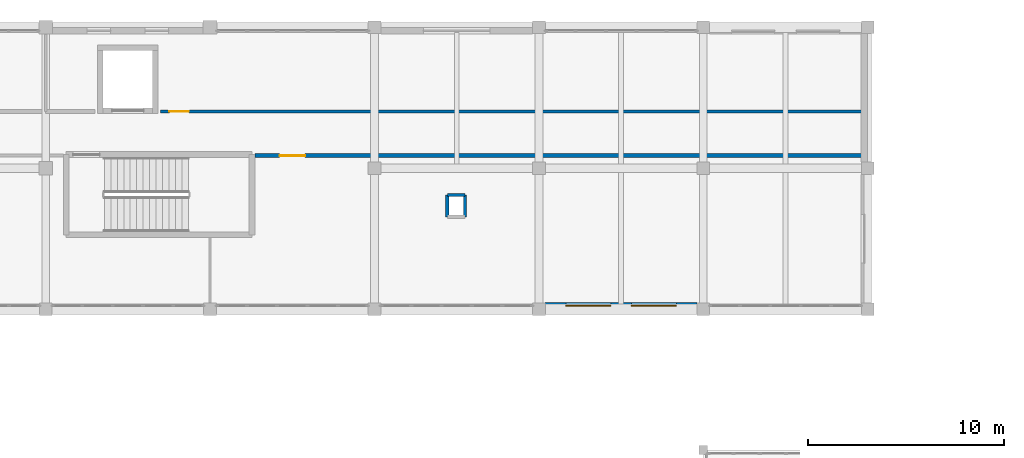
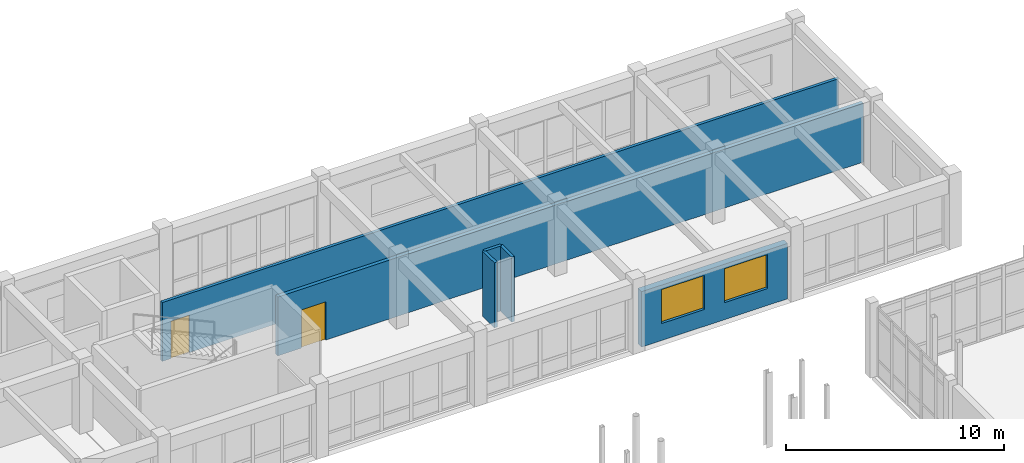
# One storey, part 135 of 147: 6 walls, 2 doors, 2 windows, 4 openings.
"""IFC4 building model written with IfcOpenShell, lengths in metres."""

from ifc_helpers import new_model, si_unit, direction, frame, frame_2d, origin, place, context, subcontext, project, spatial, rectangle, extrude, material, layer, layer_set, type_object, element, fill, save


model = new_model("IFC4")

# Units and contexts
model_context = context("Model", 3, precision=1e-05, world=origin(), true_north=direction((0.0, 1.0)))
body_context = subcontext(model_context, "Body", "Model", "MODEL_VIEW")
ifc_project = project(units=[si_unit("LENGTHUNIT", "METRE"), si_unit("AREAUNIT", "SQUARE_METRE"), si_unit("VOLUMEUNIT", "CUBIC_METRE"), si_unit("PLANEANGLEUNIT", "RADIAN"), si_unit("MASSUNIT", "GRAM", prefix="KILO")], contexts=[model_context])

# Site, building, storey
site_placement = place(None, origin())
site = spatial("IfcSite", under=ifc_project, at=site_placement, CompositionType="ELEMENT")
building_placement = place(site_placement, origin())
building = spatial("IfcBuilding", under=site, at=building_placement, Name="Malvenik Polytechnic", CompositionType="ELEMENT")
storey_placement = place(building_placement, frame((0.0, 0.0, 5.10009765625)))
storey = spatial("IfcBuildingStorey", under=building, at=storey_placement, Name="L01", CompositionType="ELEMENT", Elevation=5.10009765625)

# Wall, openings, windows
ifc_material_1 = material(Name="Concrete C30/37", Category="concrete")
ifc_layer_1 = layer(ifc_material_1, 0.340087890625)
ifc_layer_set_1 = layer_set([ifc_layer_1], Name="Concrete C30/37")
wall_type_1 = type_object("IfcWallType", Name="ARC-EW-340", PredefinedType="SOLIDWALL", material=ifc_layer_set_1)
wall_1_placement = place(storey_placement, frame((125.677001953125, 115.3701171875, 0.0), z_axis=(0.0, 0.0, 1.0), x_axis=(-1.0, 0.0, 0.0)))
wall_1 = element("IfcWall", 1, at=wall_1_placement, inside=storey, type_object=wall_type_1, Name="External Facade Wall EW-02 L01 #200", PredefinedType="SOLIDWALL", context=body_context, shape_type="SweptSolid", body=[
    extrude(rectangle(XDim=7.75390625, YDim=0.340087890625, at=frame_2d((3.876953125, 0.0))), origin(), (0.0, 0.0, 1.0), 3.10986328125),
])
opening_1_placement = place(wall_1_placement, frame((1.05126953125, 0.0, 0.949951171875)))
opening_1 = element("IfcOpeningElement", 2, at=opening_1_placement, cuts=wall_1, Name="Opening W-22", PredefinedType="OPENING", context=body_context, shape_type="SweptSolid", body=[
    extrude(rectangle(XDim=2.300048828125, YDim=1.909912109375, at=frame_2d((1.14990234375, 0.955078125))), frame((0.0, 0.18017578125, 0.0), z_axis=(0.0, -1.0, 0.0), x_axis=(1.0, 0.0, 0.0)), (0.0, 0.0, 1.0), 0.360107421875),
])
opening_2_placement = place(wall_1_placement, frame((4.402587890625, 0.0, 0.949951171875)))
opening_2 = element("IfcOpeningElement", 3, at=opening_2_placement, cuts=wall_1, Name="Opening W-22", PredefinedType="OPENING", context=body_context, shape_type="SweptSolid", body=[
    extrude(rectangle(XDim=2.300048828125, YDim=1.909912109375, at=frame_2d((1.14990234375, 0.955078125))), frame((0.0, 0.18017578125, 0.0), z_axis=(0.0, -1.0, 0.0), x_axis=(1.0, 0.0, 0.0)), (0.0, 0.0, 1.0), 0.360107421875),
])
ifc_material_2 = material(Name="Thermally broken aluminium frame with low-E double glazing", Category="aluminium")
window_type = type_object("IfcWindowType", Name="ARC-WIN-W-22", PartitioningType="SINGLE_PANEL", PredefinedType="WINDOW", material=ifc_material_2)
window_1_placement = place(opening_1_placement, origin())
window_1 = element("IfcWindow", 4, at=window_1_placement, inside=storey, type_object=window_type, Name="Punched Window W-22 L01 #171", OverallHeight=1.909912109375, OverallWidth=2.300048828125, PartitioningType="SINGLE_PANEL", PredefinedType="WINDOW", context=body_context, shape_type="SweptSolid", body=[
    extrude(rectangle(XDim=2.300048828125, YDim=1.909912109375, at=frame_2d((1.14990234375, 0.955078125))), frame((0.0, 0.030029296875, 0.0), z_axis=(0.0, -1.0, 0.0), x_axis=(1.0, 0.0, 0.0)), (0.0, 0.0, 1.0), 0.06005859375),
])
fill(opening_1, window_1)
window_2_placement = place(opening_2_placement, origin())
window_2 = element("IfcWindow", 5, at=window_2_placement, inside=storey, type_object=window_type, Name="Punched Window W-22 L01 #172", OverallHeight=1.909912109375, OverallWidth=2.300048828125, PartitioningType="SINGLE_PANEL", PredefinedType="WINDOW", context=body_context, shape_type="SweptSolid", body=[
    extrude(rectangle(XDim=2.300048828125, YDim=1.909912109375, at=frame_2d((1.14990234375, 0.955078125))), frame((0.0, 0.030029296875, 0.0), z_axis=(0.0, -1.0, 0.0), x_axis=(1.0, 0.0, 0.0)), (0.0, 0.0, 1.0), 0.06005859375),
])
fill(opening_2, window_2)

# Wall, opening, door
ifc_material_3 = material(Name="Calcium silicate fire-rated blockwork 200mm", Category="masonry")
ifc_layer_2 = layer(ifc_material_3, 0.199951171875)
ifc_layer_set_2 = layer_set([ifc_layer_2], Name="Calcium silicate fire-rated blockwork 200mm")
wall_type_2 = type_object("IfcWallType", Name="ARC-FW-200", PredefinedType="SOLIDWALL", material=ifc_layer_set_2)
wall_2_placement = place(storey_placement, frame((134.179931640625, 123.050048828125, 0.0), z_axis=(0.0, 0.0, 1.0), x_axis=(-1.0, 0.0, 0.0)))
wall_2 = element("IfcWall", 6, at=wall_2_placement, inside=storey, type_object=wall_type_2, Name="Interior Partition FW-02 L01 #174", PredefinedType="SOLIDWALL", context=body_context, shape_type="SweptSolid", body=[
    extrude(rectangle(XDim=31.08984375, YDim=0.199951171875, at=frame_2d((15.544921875, 0.0))), origin(), (0.0, 0.0, 1.0), 3.304931640625),
])
opening_3_placement = place(wall_2_placement, frame((28.530029296875, 0.0, 0.0)))
opening_3 = element("IfcOpeningElement", 7, at=opening_3_placement, cuts=wall_2, Name="Opening FD-04", PredefinedType="OPENING", context=body_context, shape_type="SweptSolid", body=[
    extrude(rectangle(XDim=1.300048828125, YDim=2.14990234375, at=frame_2d((0.64990234375, 1.074951171875))), frame((0.0, 0.10986328125, 0.0), z_axis=(0.0, -1.0, 0.0), x_axis=(1.0, 0.0, 0.0)), (0.0, 0.0, 1.0), 0.219970703125),
])
ifc_material_4 = material(Name="Fire-rated plant room steel door", Category="steel")
door_type_1 = type_object("IfcDoorType", Name="ARC-IDR-FD-04", OperationType="NOTDEFINED", PredefinedType="DOOR", material=ifc_material_4)
door_1_placement = place(opening_3_placement, origin())
door_1 = element("IfcDoor", 8, at=door_1_placement, inside=storey, type_object=door_type_1, Name="Interior Door FD-04 L01 #74", OperationType="SINGLE_SWING_RIGHT", OverallHeight=2.14990234375, OverallWidth=1.300048828125, PredefinedType="DOOR", context=body_context, shape_type="SweptSolid", body=[
    extrude(rectangle(XDim=1.300048828125, YDim=2.14990234375, at=frame_2d((0.64990234375, 1.074951171875))), frame((0.0, 0.02490234375, 0.0), z_axis=(0.0, -1.0, 0.0), x_axis=(1.0, 0.0, 0.0)), (0.0, 0.0, 1.0), 0.050048828125),
])
fill(opening_3, door_1)

# Walls
ifc_material_5 = material(Name="Double-stud acoustic gypsum board partition 160mm", Category="gypsum")
ifc_layer_3 = layer(ifc_material_5, 0.159912109375)
ifc_layer_set_3 = layer_set([ifc_layer_3], Name="Double-stud acoustic gypsum board partition 160mm")
wall_type_3 = type_object("IfcWallType", Name="ARC-PW-160", PredefinedType="PARTITIONING", material=ifc_layer_set_3)
wall_3_placement = place(storey_placement, frame((113.830078125, 121.030029296875, 0.0), z_axis=(0.0, 0.0, 1.0), x_axis=(-1.0, 0.0, 0.0)))
element("IfcWall", 9, at=wall_3_placement, inside=storey, type_object=wall_type_3, Name="Riser Shaft Enclosure L01 #15N", PredefinedType="PARTITIONING", context=body_context, shape_type="SweptSolid", body=[
    extrude(rectangle(XDim=0.91015625, YDim=0.159912109375, at=frame_2d((0.455078125, 0.0))), origin(), (0.0, 0.0, 1.0), 3.64990234375),
])
for number, where, z_axis, x_axis, name in (
    (10, (112.919921875, 121.030029296875, 0.0), (0.0, 0.0, 1.0), (0.0, -1.0, 0.0), "Riser Shaft Enclosure L01 #15W"),
    (11, (113.830078125, 119.919921875, 0.0), (0.0, 0.0, 1.0), (0.0, 1.0, 0.0), "Riser Shaft Enclosure L01 #15E"),
):
    element("IfcWall", number, at=place(storey_placement, frame(where, z_axis=z_axis, x_axis=x_axis)), inside=storey, type_object=wall_type_3, Name=name, PredefinedType="PARTITIONING", context=body_context, shape_type="SweptSolid", body=[
        extrude(rectangle(XDim=1.110107421875, YDim=0.159912109375, at=frame_2d((0.55517578125, 0.0))), origin(), (0.0, 0.0, 1.0), 3.64990234375),
    ])

# Wall, opening, door
wall_4_placement = place(storey_placement, frame((98.27001953125, 125.300048828125, 0.0), z_axis=(0.0, 0.0, 1.0), x_axis=(1.0, 0.0, 0.0)))
wall_4 = element("IfcWall", 12, at=wall_4_placement, inside=storey, type_object=wall_type_3, Name="Interior Partition PW-01I L01 #157", PredefinedType="PARTITIONING", context=body_context, shape_type="SweptSolid", body=[
    extrude(rectangle(XDim=35.909912109375, YDim=0.159912109375, at=frame_2d((17.955078125, 0.0))), origin(), (0.0, 0.0, 1.0), 3.304931640625),
])
opening_4_placement = place(wall_4_placement, frame((0.449951171875, 0.0, 0.0)))
opening_4 = element("IfcOpeningElement", 13, at=opening_4_placement, cuts=wall_4, Name="Opening FD-07", PredefinedType="OPENING", context=body_context, shape_type="SweptSolid", body=[
    extrude(rectangle(XDim=1.0, YDim=2.10009765625, at=frame_2d((0.5, 1.050048828125))), frame((0.0, 0.08984375, 0.0), z_axis=(0.0, -1.0, 0.0), x_axis=(1.0, 0.0, 0.0)), (0.0, 0.0, 1.0), 0.179931640625),
])
ifc_material_6 = material(Name="Fire-rated washroom corridor door", Category="steel")
door_type_2 = type_object("IfcDoorType", Name="ARC-IDR-FD-07", OperationType="NOTDEFINED", PredefinedType="DOOR", material=ifc_material_6)
door_2_placement = place(opening_4_placement, origin())
door_2 = element("IfcDoor", 14, at=door_2_placement, inside=storey, type_object=door_type_2, Name="Interior Door FD-07 L01 #68", OperationType="SINGLE_SWING_RIGHT", OverallHeight=2.10009765625, OverallWidth=1.0, PredefinedType="DOOR", context=body_context, shape_type="SweptSolid", body=[
    extrude(rectangle(XDim=1.0, YDim=2.10009765625, at=frame_2d((0.5, 1.050048828125))), frame((0.0, 0.02490234375, 0.0), z_axis=(0.0, -1.0, 0.0), x_axis=(1.0, 0.0, 0.0)), (0.0, 0.0, 1.0), 0.050048828125),
])
fill(opening_4, door_2)

save(model, "model.ifc")
